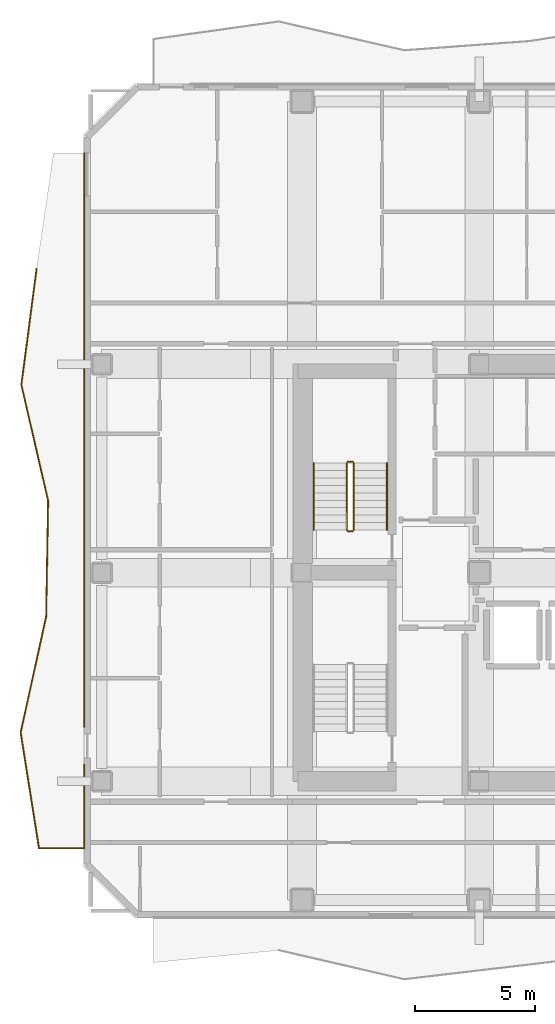
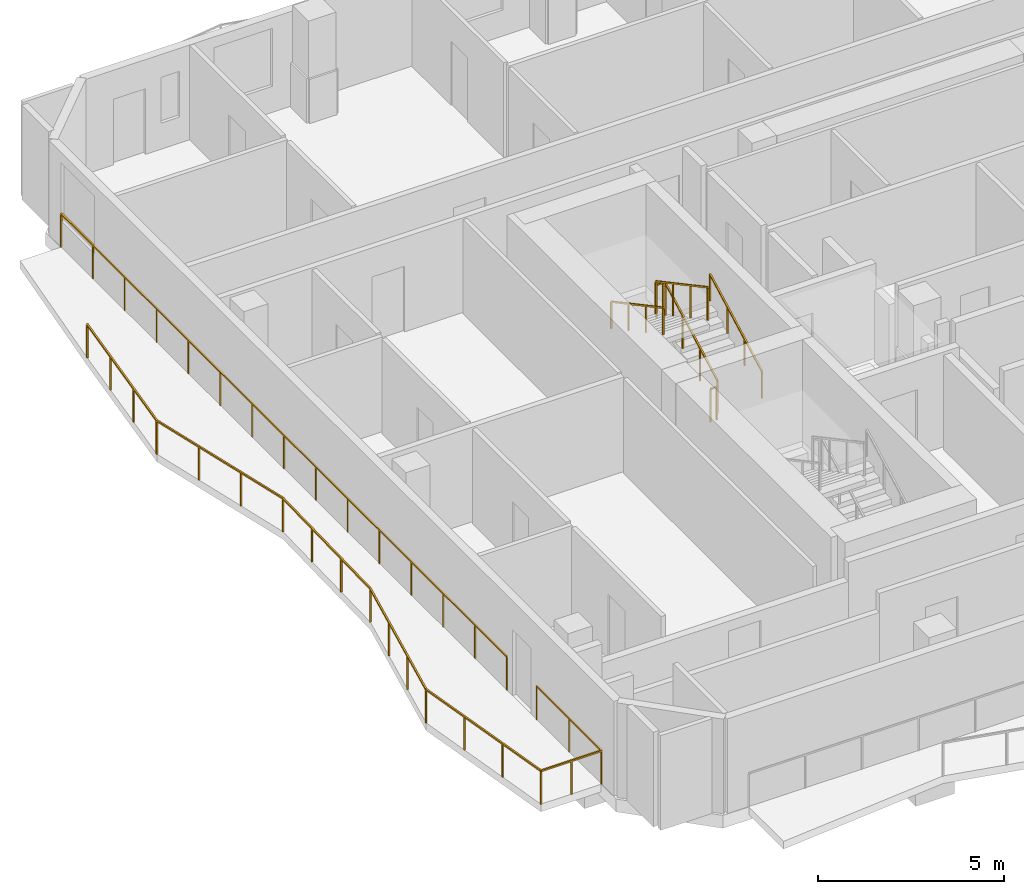
# One storey, part 8 of 10: 8 railings.
"""IFC4 building model written with IfcOpenShell, lengths in metres."""

from ifc_helpers import new_model, si_unit, direction, frame, origin, origin_2d, place, context, subcontext, project, spatial, rectangle, extrude, material, type_object, element, save


model = new_model("IFC4")

# Units and contexts
model_context = context("Model", 3, precision=1e-05, world=origin(), true_north=direction((0.0, 1.0)))
body_context = subcontext(model_context, "Body", "Model", "MODEL_VIEW")
ifc_project = project(units=[si_unit("LENGTHUNIT", "METRE"), si_unit("AREAUNIT", "SQUARE_METRE"), si_unit("VOLUMEUNIT", "CUBIC_METRE"), si_unit("PLANEANGLEUNIT", "RADIAN"), si_unit("MASSUNIT", "GRAM", prefix="KILO")], contexts=[model_context])

# Site, building, storey
site_placement = place(None, origin())
site = spatial("IfcSite", under=ifc_project, at=site_placement, CompositionType="ELEMENT")
building_placement = place(site_placement, origin())
building = spatial("IfcBuilding", under=site, at=building_placement, Name="Solanera Arch Residences", CompositionType="ELEMENT")
storey_placement = place(building_placement, frame((0.0, 0.0, 251.199951171875)))
storey = spatial("IfcBuildingStorey", under=building, at=storey_placement, Name="L73", CompositionType="ELEMENT", Elevation=251.199951171875)

# Railings
ifc_material_1 = material(Name="Steel S355 (ASTM A992 / A572 Grade 50)", Category="steel")
railing_type_1 = type_object("IfcRailingType", Name="Balustrade Railing BL-1100", PredefinedType="BALUSTRADE", material=ifc_material_1)
railing_1_placement = place(storey_placement, frame((2.33203125, 43.366943359375, 0.0)))
element("IfcRailing", 1, at=railing_1_placement, inside=storey, type_object=railing_type_1, Name="L73 W Balcony Balustrade 1", PredefinedType="BALUSTRADE", context=body_context, shape_type="SweptSolid", body=[
    extrude(rectangle(XDim=0.048095703125, YDim=0.048095703125, at=origin_2d()), frame((0.0, 0.0, 1.09619140625), z_axis=(-0.130244665721, -0.991481884379, 0.0), x_axis=(0.991481884379, -0.130244665721, 0.0)), (0.0, 0.0, 1.0), 4.87548828125),
    extrude(rectangle(XDim=0.048095703125, YDim=0.048095703125, at=origin_2d()), frame((-0.635009765625, -4.833984375, 1.09619140625), z_axis=(0.225172222795, -0.974318977585, 0.0), x_axis=(0.974318977585, 0.225172222795, 0.0)), (0.0, 0.0, 1.0), 4.96044921875),
    extrude(rectangle(XDim=0.048095703125, YDim=0.048095703125, at=origin_2d()), frame((0.48193359375, -9.6669921875, 1.09619140625), z_axis=(-0.017172654238, -0.999852539101, 0.0), x_axis=(0.999852539101, -0.017172654238, 0.0)), (0.0, 0.0, 1.0), 4.833740234375),
    extrude(rectangle(XDim=0.048095703125, YDim=0.048095703125, at=origin_2d()), frame((0.39892578125, -14.5, 1.09619140625), z_axis=(-0.214767683007, -0.97666516388, 0.0), x_axis=(0.97666516388, -0.214767683007, 0.0)), (0.0, 0.0, 1.0), 4.949462890625),
    extrude(rectangle(XDim=0.048095703125, YDim=0.048095703125, at=origin_2d()), frame((-0.6640625, -19.333984375, 1.09619140625), z_axis=(0.156562061503, -0.987668122852, 0.0), x_axis=(0.987668122852, 0.156562061503, 0.0)), (0.0, 0.0, 1.0), 4.893310546875),
    extrude(rectangle(XDim=0.048095703125, YDim=0.048095703125, at=origin_2d()), frame((0.10205078125, -24.1669921875, 1.09619140625), z_axis=(1.0, 0.0, 0.0), x_axis=(0.0, 1.0, 0.0)), (0.0, 0.0, 1.0), 1.885986328125),
    extrude(rectangle(XDim=0.048095703125, YDim=0.048095703125, at=origin_2d()), frame((1.988037109375, -24.1669921875, 1.09619140625), z_axis=(0.0, 1.0, 0.0), x_axis=(-1.0, 0.0, 0.0)), (0.0, 0.0, 1.0), 3.47900390625),
    extrude(rectangle(XDim=0.0419921875, YDim=0.0419921875, at=origin_2d()), origin(), (0.0, 0.0, 1.0), 1.072021484375),
    extrude(rectangle(XDim=0.0419921875, YDim=0.0419921875, at=origin_2d()), frame((-0.211669921875, -1.611328125, 0.0)), (0.0, 0.0, 1.0), 1.072021484375),
    extrude(rectangle(XDim=0.0419921875, YDim=0.0419921875, at=origin_2d()), frame((-0.42333984375, -3.22265625, 0.0)), (0.0, 0.0, 1.0), 1.072021484375),
    extrude(rectangle(XDim=0.0419921875, YDim=0.0419921875, at=origin_2d()), frame((-0.635009765625, -4.833984375, 0.0)), (0.0, 0.0, 1.0), 1.072021484375),
    extrude(rectangle(XDim=0.0419921875, YDim=0.0419921875, at=origin_2d()), frame((-0.2626953125, -6.445068359375, 0.0)), (0.0, 0.0, 1.0), 1.072021484375),
    extrude(rectangle(XDim=0.0419921875, YDim=0.0419921875, at=origin_2d()), frame((0.109619140625, -8.055908203125, 0.0)), (0.0, 0.0, 1.0), 1.072021484375),
    extrude(rectangle(XDim=0.0419921875, YDim=0.0419921875, at=origin_2d()), frame((0.48193359375, -9.6669921875, 0.0)), (0.0, 0.0, 1.0), 1.072021484375),
    extrude(rectangle(XDim=0.0419921875, YDim=0.0419921875, at=origin_2d()), frame((0.454345703125, -11.278076171875, 0.0)), (0.0, 0.0, 1.0), 1.072021484375),
    extrude(rectangle(XDim=0.0419921875, YDim=0.0419921875, at=origin_2d()), frame((0.426513671875, -12.888916015625, 0.0)), (0.0, 0.0, 1.0), 1.072021484375),
    extrude(rectangle(XDim=0.0419921875, YDim=0.0419921875, at=origin_2d()), frame((0.39892578125, -14.5, 0.0)), (0.0, 0.0, 1.0), 1.072021484375),
    extrude(rectangle(XDim=0.0419921875, YDim=0.0419921875, at=origin_2d()), frame((0.044677734375, -16.111328125, 0.0)), (0.0, 0.0, 1.0), 1.072021484375),
    extrude(rectangle(XDim=0.0419921875, YDim=0.0419921875, at=origin_2d()), frame((-0.309814453125, -17.72265625, 0.0)), (0.0, 0.0, 1.0), 1.072021484375),
    extrude(rectangle(XDim=0.0419921875, YDim=0.0419921875, at=origin_2d()), frame((-0.6640625, -19.333984375, 0.0)), (0.0, 0.0, 1.0), 1.072021484375),
    extrude(rectangle(XDim=0.0419921875, YDim=0.0419921875, at=origin_2d()), frame((-0.40869140625, -20.945068359375, 0.0)), (0.0, 0.0, 1.0), 1.072021484375),
    extrude(rectangle(XDim=0.0419921875, YDim=0.0419921875, at=origin_2d()), frame((-0.1533203125, -22.555908203125, 0.0)), (0.0, 0.0, 1.0), 1.072021484375),
    extrude(rectangle(XDim=0.0419921875, YDim=0.0419921875, at=origin_2d()), frame((0.10205078125, -24.1669921875, 0.0)), (0.0, 0.0, 1.0), 1.072021484375),
    extrude(rectangle(XDim=0.0419921875, YDim=0.0419921875, at=origin_2d()), frame((1.044921875, -24.1669921875, 0.0)), (0.0, 0.0, 1.0), 1.072021484375),
    extrude(rectangle(XDim=0.0419921875, YDim=0.0419921875, at=origin_2d()), frame((1.988037109375, -24.1669921875, 0.0)), (0.0, 0.0, 1.0), 1.072021484375),
    extrude(rectangle(XDim=0.0419921875, YDim=0.0419921875, at=origin_2d()), frame((1.988037109375, -22.427490234375, 0.0)), (0.0, 0.0, 1.0), 1.072021484375),
    extrude(rectangle(XDim=0.0419921875, YDim=0.0419921875, at=origin_2d()), frame((1.988037109375, -20.68798828125, 0.0)), (0.0, 0.0, 1.0), 1.072021484375),
])
railing_2_placement = place(storey_placement, frame((4.320068359375, 24.279052734375, 0.0)))
element("IfcRailing", 2, at=railing_2_placement, inside=storey, type_object=railing_type_1, Name="L73 W Balcony Balustrade 2", PredefinedType="BALUSTRADE", context=body_context, shape_type="SweptSolid", body=[
    extrude(rectangle(XDim=0.048095703125, YDim=0.048095703125, at=origin_2d()), frame((0.0, 0.0, 1.09619140625), z_axis=(0.0, 1.0, 0.0), x_axis=(-1.0, 0.0, 0.0)), (0.0, 0.0, 1.0), 23.9208984375),
    extrude(rectangle(XDim=0.0419921875, YDim=0.0419921875, at=origin_2d()), origin(), (0.0, 0.0, 1.0), 1.072021484375),
    extrude(rectangle(XDim=0.0419921875, YDim=0.0419921875, at=origin_2d()), frame((0.0, 1.708740234375, 0.0)), (0.0, 0.0, 1.0), 1.072021484375),
    extrude(rectangle(XDim=0.0419921875, YDim=0.0419921875, at=origin_2d()), frame((0.0, 3.417236328125, 0.0)), (0.0, 0.0, 1.0), 1.072021484375),
    extrude(rectangle(XDim=0.0419921875, YDim=0.0419921875, at=origin_2d()), frame((0.0, 5.1259765625, 0.0)), (0.0, 0.0, 1.0), 1.072021484375),
    extrude(rectangle(XDim=0.0419921875, YDim=0.0419921875, at=origin_2d()), frame((0.0, 6.83447265625, 0.0)), (0.0, 0.0, 1.0), 1.072021484375),
    extrude(rectangle(XDim=0.0419921875, YDim=0.0419921875, at=origin_2d()), frame((0.0, 8.543212890625, 0.0)), (0.0, 0.0, 1.0), 1.072021484375),
    extrude(rectangle(XDim=0.0419921875, YDim=0.0419921875, at=origin_2d()), frame((0.0, 10.251708984375, 0.0)), (0.0, 0.0, 1.0), 1.072021484375),
    extrude(rectangle(XDim=0.0419921875, YDim=0.0419921875, at=origin_2d()), frame((0.0, 11.96044921875, 0.0)), (0.0, 0.0, 1.0), 1.072021484375),
    extrude(rectangle(XDim=0.0419921875, YDim=0.0419921875, at=origin_2d()), frame((0.0, 13.669189453125, 0.0)), (0.0, 0.0, 1.0), 1.072021484375),
    extrude(rectangle(XDim=0.0419921875, YDim=0.0419921875, at=origin_2d()), frame((0.0, 15.377685546875, 0.0)), (0.0, 0.0, 1.0), 1.072021484375),
    extrude(rectangle(XDim=0.0419921875, YDim=0.0419921875, at=origin_2d()), frame((0.0, 17.08642578125, 0.0)), (0.0, 0.0, 1.0), 1.072021484375),
    extrude(rectangle(XDim=0.0419921875, YDim=0.0419921875, at=origin_2d()), frame((0.0, 18.794921875, 0.0)), (0.0, 0.0, 1.0), 1.072021484375),
    extrude(rectangle(XDim=0.0419921875, YDim=0.0419921875, at=origin_2d()), frame((0.0, 20.503662109375, 0.0)), (0.0, 0.0, 1.0), 1.072021484375),
    extrude(rectangle(XDim=0.0419921875, YDim=0.0419921875, at=origin_2d()), frame((0.0, 22.212158203125, 0.0)), (0.0, 0.0, 1.0), 1.072021484375),
    extrude(rectangle(XDim=0.0419921875, YDim=0.0419921875, at=origin_2d()), frame((0.0, 23.9208984375, 0.0)), (0.0, 0.0, 1.0), 1.072021484375),
])
ifc_material_2 = material(Name="Steel S355 (ASTM A992 / A572 Grade 50)", Category="steel")
railing_type_2 = type_object("IfcRailingType", Name="Stair Guardrail GR-1100", PredefinedType="GUARDRAIL", material=ifc_material_2)
railing_3_placement = place(storey_placement, frame((15.570068359375, 32.47998046875, 0.151123046875)))
element("IfcRailing", 3, at=railing_3_placement, inside=storey, type_object=railing_type_2, Name="L73 ST-T1 stair guard 1", PredefinedType="GUARDRAIL", context=body_context, shape_type="SweptSolid", body=[
    extrude(rectangle(XDim=0.048095703125, YDim=0.048095703125, at=origin_2d()), frame((0.0, 0.0, 1.076171875), z_axis=(0.0, 0.881580869306, 0.472033018838), x_axis=(-1.0, 0.0, 0.0)), (0.0, 0.0, 1.0), 3.164794921875),
    extrude(rectangle(XDim=0.0419921875, YDim=0.0419921875, at=origin_2d()), origin(), (0.0, 0.0, 1.0), 1.052001953125),
    extrude(rectangle(XDim=0.0419921875, YDim=0.0419921875, at=origin_2d()), frame((0.0, 0.929931640625, 0.498046875)), (0.0, 0.0, 1.0), 1.052001953125),
    extrude(rectangle(XDim=0.0419921875, YDim=0.0419921875, at=origin_2d()), frame((0.0, 1.860107421875, 0.995849609375)), (0.0, 0.0, 1.0), 1.052001953125),
    extrude(rectangle(XDim=0.0419921875, YDim=0.0419921875, at=origin_2d()), frame((0.0, 2.7900390625, 1.493896484375)), (0.0, 0.0, 1.0), 1.052001953125),
])
railing_4_placement = place(storey_placement, frame((15.52001953125, 35.320068359375, 1.64501953125)))
element("IfcRailing", 4, at=railing_4_placement, inside=storey, type_object=railing_type_2, Name="L73 ST-T1 stair guard 2", PredefinedType="GUARDRAIL", context=body_context, shape_type="SweptSolid", body=[
    extrude(rectangle(XDim=0.048095703125, YDim=0.048095703125, at=origin_2d()), frame((0.0, 0.0, 1.076171875), z_axis=(-1.0, 0.0, 0.0), x_axis=(0.0, -1.0, 0.0)), (0.0, 0.0, 1.0), 0.199951171875),
    extrude(rectangle(XDim=0.0419921875, YDim=0.0419921875, at=origin_2d()), origin(), (0.0, 0.0, 1.0), 1.052001953125),
    extrude(rectangle(XDim=0.0419921875, YDim=0.0419921875, at=origin_2d()), frame((-0.199951171875, 0.0, 0.0)), (0.0, 0.0, 1.0), 1.052001953125),
])
railing_5_placement = place(storey_placement, frame((15.27001953125, 35.27001953125, 1.81103515625)))
element("IfcRailing", 5, at=railing_5_placement, inside=storey, type_object=railing_type_2, Name="L73 ST-T1 stair guard 3", PredefinedType="GUARDRAIL", context=body_context, shape_type="SweptSolid", body=[
    extrude(rectangle(XDim=0.048095703125, YDim=0.048095703125, at=origin_2d()), frame((0.0, 0.0, 1.076171875), z_axis=(0.0, -0.881580869306, 0.472033018838), x_axis=(1.0, 0.0, 0.0)), (0.0, 0.0, 1.0), 3.164794921875),
    extrude(rectangle(XDim=0.0419921875, YDim=0.0419921875, at=origin_2d()), origin(), (0.0, 0.0, 1.0), 1.052001953125),
    extrude(rectangle(XDim=0.0419921875, YDim=0.0419921875, at=origin_2d()), frame((0.0, -0.929931640625, 0.498046875)), (0.0, 0.0, 1.0), 1.052001953125),
    extrude(rectangle(XDim=0.0419921875, YDim=0.0419921875, at=origin_2d()), frame((0.0, -1.860107421875, 0.995849609375)), (0.0, 0.0, 1.0), 1.052001953125),
    extrude(rectangle(XDim=0.0419921875, YDim=0.0419921875, at=origin_2d()), frame((0.0, -2.7900390625, 1.493896484375)), (0.0, 0.0, 1.0), 1.052001953125),
])
railing_6_placement = place(storey_placement, frame((15.52001953125, 32.429931640625, -0.014892578125)))
element("IfcRailing", 6, at=railing_6_placement, inside=storey, type_object=railing_type_2, Name="L73 ST-T1 stair guard 4", PredefinedType="GUARDRAIL", context=body_context, shape_type="SweptSolid", body=[
    extrude(rectangle(XDim=0.048095703125, YDim=0.048095703125, at=origin_2d()), frame((0.0, 0.0, 1.076171875), z_axis=(-1.0, 0.0, 0.0), x_axis=(0.0, -1.0, 0.0)), (0.0, 0.0, 1.0), 0.199951171875),
    extrude(rectangle(XDim=0.0419921875, YDim=0.0419921875, at=origin_2d()), origin(), (0.0, 0.0, 1.0), 1.052001953125),
    extrude(rectangle(XDim=0.0419921875, YDim=0.0419921875, at=origin_2d()), frame((-0.199951171875, 0.0, 0.0)), (0.0, 0.0, 1.0), 1.052001953125),
])
ifc_material_3 = material(Name="Steel S355 (ASTM A992 / A572 Grade 50)", Category="steel")
railing_type_3 = type_object("IfcRailingType", Name="Stair Wall Handrail HR-920", PredefinedType="HANDRAIL", material=ifc_material_3)
railing_7_placement = place(storey_placement, frame((16.949951171875, 32.47998046875, 0.166015625)))
element("IfcRailing", 7, at=railing_7_placement, inside=storey, type_object=railing_type_3, Name="L73 ST-T1 stair handrail 1", PredefinedType="HANDRAIL", context=body_context, shape_type="SweptSolid", body=[
    extrude(rectangle(XDim=0.048095703125, YDim=0.048095703125, at=origin_2d()), frame((0.0, 0.0, 0.8759765625), z_axis=(0.0, 0.881548766853, 0.472092969298), x_axis=(-1.0, 0.0, 0.0)), (0.0, 0.0, 1.0), 3.1650390625),
    extrude(rectangle(XDim=0.0419921875, YDim=0.0419921875, at=origin_2d()), origin(), (0.0, 0.0, 1.0), 0.851806640625),
    extrude(rectangle(XDim=0.0419921875, YDim=0.0419921875, at=origin_2d()), frame((0.0, 0.929931640625, 0.498046875)), (0.0, 0.0, 1.0), 0.851806640625),
    extrude(rectangle(XDim=0.0419921875, YDim=0.0419921875, at=origin_2d()), frame((0.0, 1.860107421875, 0.99609375)), (0.0, 0.0, 1.0), 0.851806640625),
    extrude(rectangle(XDim=0.0419921875, YDim=0.0419921875, at=origin_2d()), frame((0.0, 2.7900390625, 1.494140625)), (0.0, 0.0, 1.0), 0.851806640625),
])
railing_8_placement = place(storey_placement, frame((13.889892578125, 35.27001953125, 1.825927734375)))
element("IfcRailing", 8, at=railing_8_placement, inside=storey, type_object=railing_type_3, Name="L73 ST-T1 stair handrail 2", PredefinedType="HANDRAIL", context=body_context, shape_type="SweptSolid", body=[
    extrude(rectangle(XDim=0.048095703125, YDim=0.048095703125, at=origin_2d()), frame((0.0, 0.0, 0.8759765625), z_axis=(0.0, -0.881548766853, 0.472092969298), x_axis=(1.0, 0.0, 0.0)), (0.0, 0.0, 1.0), 3.1650390625),
    extrude(rectangle(XDim=0.0419921875, YDim=0.0419921875, at=origin_2d()), origin(), (0.0, 0.0, 1.0), 0.851806640625),
    extrude(rectangle(XDim=0.0419921875, YDim=0.0419921875, at=origin_2d()), frame((0.0, -0.929931640625, 0.498046875)), (0.0, 0.0, 1.0), 0.851806640625),
    extrude(rectangle(XDim=0.0419921875, YDim=0.0419921875, at=origin_2d()), frame((0.0, -1.860107421875, 0.99609375)), (0.0, 0.0, 1.0), 0.851806640625),
    extrude(rectangle(XDim=0.0419921875, YDim=0.0419921875, at=origin_2d()), frame((0.0, -2.7900390625, 1.494140625)), (0.0, 0.0, 1.0), 0.851806640625),
])

save(model, "model.ifc")
